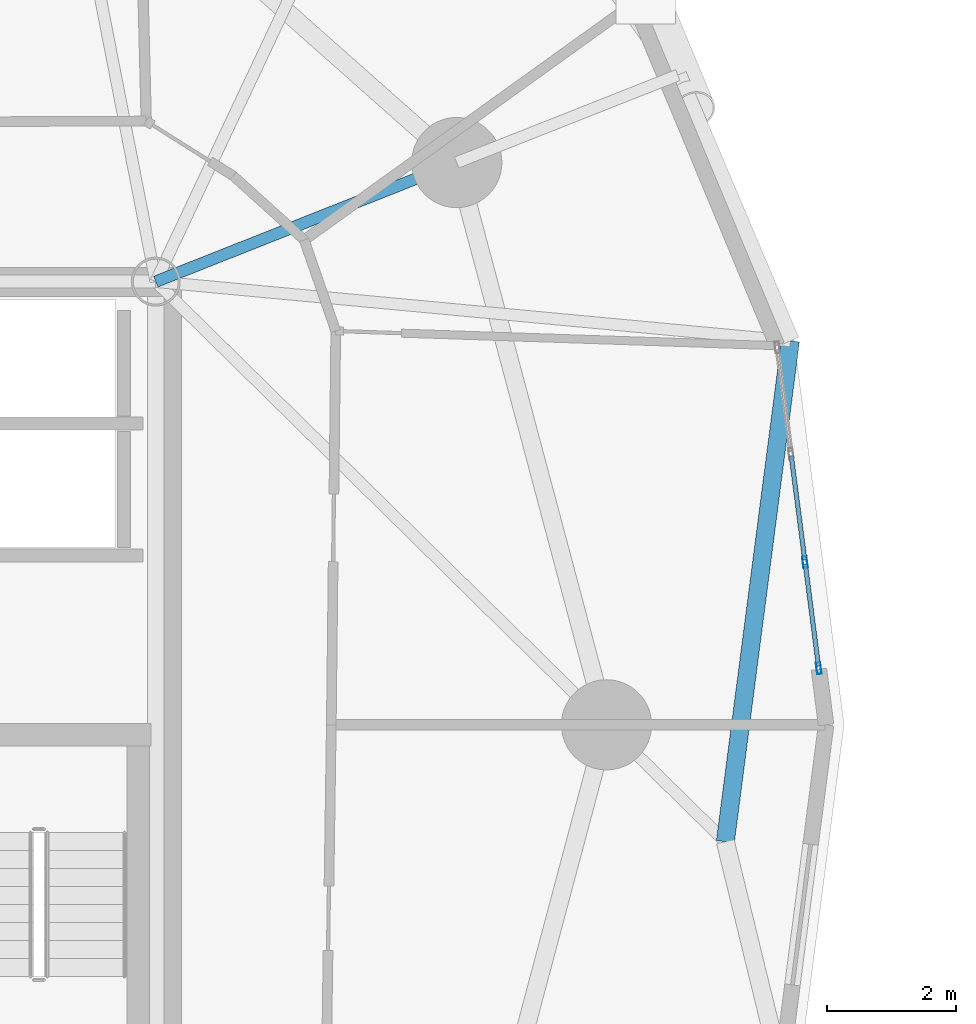
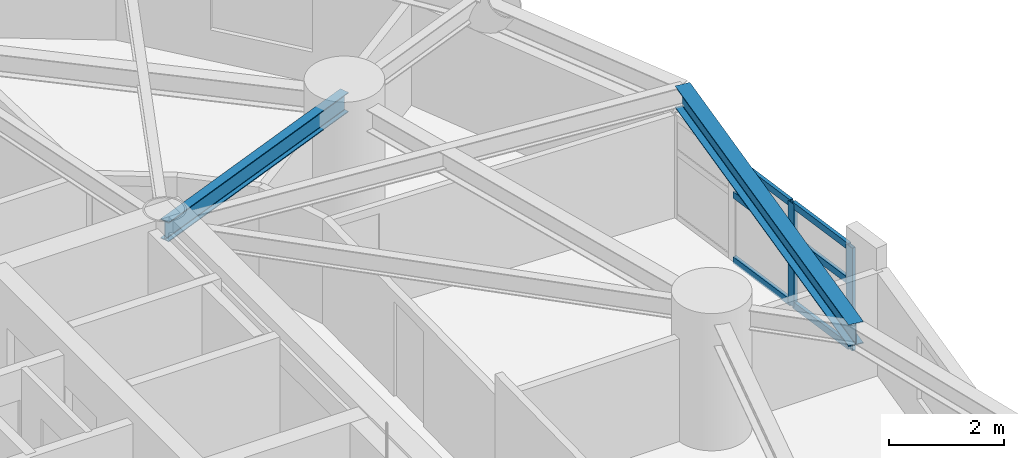
# One storey, part 2 of 19: 8 members, 2 beams, 1 element without a shape of its own.
"""IFC4 building model written with IfcOpenShell, lengths in metres."""

from ifc_helpers import new_model, si_unit, direction, frame, origin, origin_2d, place, context, subcontext, project, spatial, hollow_rectangle, i_section, extrude, material, layer, layer_set, material_profile, profile_set, type_object, element, aggregate, save


model = new_model("IFC4")

# Units and contexts
model_context = context("Model", 3, precision=1e-05, world=origin(), true_north=direction((0.0, 1.0)))
body_context = subcontext(model_context, "Body", "Model", "MODEL_VIEW")
ifc_project = project(units=[si_unit("LENGTHUNIT", "METRE"), si_unit("AREAUNIT", "SQUARE_METRE"), si_unit("VOLUMEUNIT", "CUBIC_METRE"), si_unit("PLANEANGLEUNIT", "RADIAN"), si_unit("MASSUNIT", "GRAM", prefix="KILO")], contexts=[model_context])

# Site, building, storey
site_placement = place(None, origin())
site = spatial("IfcSite", under=ifc_project, at=site_placement, CompositionType="ELEMENT")
building_placement = place(site_placement, origin())
building = spatial("IfcBuilding", under=site, at=building_placement, Name="Cununo Teusaquillo Station Towers", CompositionType="ELEMENT")
storey_placement = place(building_placement, frame((0.0, 0.0, 84.699951171875)))
storey = spatial("IfcBuildingStorey", under=building, at=storey_placement, Name="L26", CompositionType="ELEMENT", Elevation=84.699951171875)

# Beams
ifc_material_1 = material(Name="Steel ASTM A572 Grade 50", Category="steel")
ifc_material_profile_1 = material_profile(ifc_material_1, i_section(OverallWidth=0.180908203125, OverallDepth=0.4169921875, WebThickness=0.010986328125, FlangeThickness=0.018310546875, FilletRadius=0.012939453125, at=origin_2d()), Name="W16X57")
ifc_profile_set_1 = profile_set([ifc_material_profile_1], Name="Steel ASTM A572 Grade 50")
beam_type_1 = type_object("IfcBeamType", Name="BM-RAD-G2", PredefinedType="BEAM", material=ifc_profile_set_1)
beam_1_placement = place(storey_placement, frame((21.675048828125, 31.3798828125, 2.461669921875), z_axis=(0.929864104313, 0.367903176814, 0.0), x_axis=(-0.367903176814, 0.929864104313, 0.0)))
element("IfcBeam", 1, at=beam_1_placement, inside=storey, type_object=beam_type_1, Name="L26 Tower A Radial Girder 02A", PredefinedType="BEAM", context=body_context, shape_type="SweptSolid", body=[
    extrude(i_section(OverallWidth=0.180908203125, OverallDepth=0.4169921875, WebThickness=0.010986328125, FlangeThickness=0.018310546875, FilletRadius=0.012939453125, at=origin_2d()), origin(), (0.0, 0.0, 1.0), 5.02490234375),
])
ifc_material_2 = material(Name="Steel ASTM A572 Grade 50", Category="steel")
ifc_material_profile_2 = material_profile(ifc_material_2, i_section(OverallWidth=0.280029296875, OverallDepth=0.462890625, WebThickness=0.0107421875, FlangeThickness=0.017333984375, FilletRadius=0.013916015625, at=origin_2d()), Name="W18X76")
ifc_profile_set_2 = profile_set([ifc_material_profile_2], Name="Steel ASTM A572 Grade 50")
beam_type_2 = type_object("IfcBeamType", Name="BM-RING-Z2", PredefinedType="SPANDREL", material=ifc_profile_set_2)
beam_2_placement = place(storey_placement, frame((30.51708984375, 22.685791015625, 2.4384765625), z_axis=(0.12888124113, 0.991660035337, 0.0), x_axis=(-0.991660035337, 0.12888124113, 0.0)))
element("IfcBeam", 2, at=beam_2_placement, inside=storey, type_object=beam_type_2, Name="L26 Tower A Spandrel Ring Beam 01", PredefinedType="SPANDREL", context=body_context, shape_type="SweptSolid", body=[
    extrude(i_section(OverallWidth=0.280029296875, OverallDepth=0.462890625, WebThickness=0.0107421875, FlangeThickness=0.017333984375, FilletRadius=0.013916015625, at=origin_2d()), origin(), (0.0, 0.0, 1.0), 7.840576171875),
])

# Curtain wall, members
ifc_material_3 = material(Name="Ceramic-fritted dark low-E double glazing", Category="glass")
ifc_layer = layer(ifc_material_3, 0.179931640625)
ifc_layer_set = layer_set([ifc_layer], Name="Ceramic-fritted dark low-E double glazing")
curtain_wall_type = type_object("IfcCurtainWallType", Name="CW-SYS-04", PredefinedType="USERDEFINED", material=ifc_layer_set)
curtain_wall_placement = place(storey_placement, origin())
curtain_wall = element("IfcCurtainWall", 3, at=curtain_wall_placement, inside=storey, type_object=curtain_wall_type, Name="L26 Tower A Facade Curtain Wall C00", ObjectType="FRITTED GLAZING", PredefinedType="USERDEFINED")
ifc_material_4 = material(Name="Anodised dark bronze aluminium EN AW-6063-T6", Category="aluminium")
ifc_material_profile_3 = material_profile(ifc_material_4, hollow_rectangle(XDim=0.070068359375, YDim=0.179931640625, WallThickness=0.00390625, at=origin_2d()), Name="CW-MULL-70x180")
ifc_profile_set_3 = profile_set([ifc_material_profile_3], Name="Anodised dark bronze aluminium EN AW-6063-T6")
member_type_1 = type_object("IfcMemberType", Name="CWM-180", PredefinedType="MULLION", material=ifc_profile_set_3)
member_1_placement = place(storey_placement, frame((31.754150390625, 27.0263671875, 0.0), z_axis=(0.0, 0.0, 1.0), x_axis=(0.991730764367, 0.128335852387, 0.0)))
member_1 = element("IfcMember", 4, at=member_1_placement, type_object=member_type_1, Name="CW-04 mullion 3", PredefinedType="MULLION", context=body_context, shape_type="SweptSolid", body=[
    extrude(hollow_rectangle(XDim=0.070068359375, YDim=0.179931640625, WallThickness=0.00390625, at=origin_2d()), origin(), (0.0, 0.0, 1.0), 2.178955078125),
])
member_2_placement = place(storey_placement, frame((31.967529296875, 25.377685546875, 0.0), z_axis=(0.0, 0.0, 1.0), x_axis=(0.991730764367, 0.128335852387, 0.0)))
member_2 = element("IfcMember", 5, at=member_2_placement, type_object=member_type_1, Name="CW-04 mullion 4", PredefinedType="MULLION", context=body_context, shape_type="SweptSolid", body=[
    extrude(hollow_rectangle(XDim=0.070068359375, YDim=0.179931640625, WallThickness=0.00390625, at=origin_2d()), origin(), (0.0, 0.0, 1.0), 2.178955078125),
])
ifc_material_5 = material(Name="Anodised dark bronze aluminium EN AW-6063-T6", Category="aluminium")
ifc_material_profile_4 = material_profile(ifc_material_5, hollow_rectangle(XDim=0.070068359375, YDim=0.139892578125, WallThickness=0.00390625, at=origin_2d()), Name="CW-TRAN-70x140")
ifc_profile_set_4 = profile_set([ifc_material_profile_4], Name="Anodised dark bronze aluminium EN AW-6063-T6")
member_type_2 = type_object("IfcMemberType", Name="CWT-140", PredefinedType="USERDEFINED", material=ifc_profile_set_4)
member_3_placement = place(storey_placement, frame((31.540771484375, 28.675048828125, 0.03515625), z_axis=(0.128261686134, -0.991740359101, 0.0), x_axis=(0.991740359101, 0.128261686134, 0.0)))
member_3 = element("IfcMember", 6, at=member_3_placement, type_object=member_type_2, Name="CW-04 transom 2.1", ObjectType="TRANSOM", PredefinedType="USERDEFINED", context=body_context, shape_type="SweptSolid", body=[
    extrude(hollow_rectangle(XDim=0.070068359375, YDim=0.139892578125, WallThickness=0.00390625, at=origin_2d()), origin(), (0.0, 0.0, 1.0), 1.62744140625),
])
member_4_placement = place(storey_placement, frame((31.540771484375, 28.675048828125, 1.416015625), z_axis=(0.128261686134, -0.991740359101, 0.0), x_axis=(0.991740359101, 0.128261686134, 0.0)))
member_4 = element("IfcMember", 7, at=member_4_placement, type_object=member_type_2, Name="CW-04 transom 2.2", ObjectType="TRANSOM", PredefinedType="USERDEFINED", context=body_context, shape_type="SweptSolid", body=[
    extrude(hollow_rectangle(XDim=0.070068359375, YDim=0.139892578125, WallThickness=0.00390625, at=origin_2d()), origin(), (0.0, 0.0, 1.0), 1.62744140625),
])
member_5_placement = place(storey_placement, frame((31.540771484375, 28.675048828125, 2.14404296875), z_axis=(0.128261686134, -0.991740359101, 0.0), x_axis=(0.991740359101, 0.128261686134, 0.0)))
member_5 = element("IfcMember", 8, at=member_5_placement, type_object=member_type_2, Name="CW-04 transom 2.3", ObjectType="TRANSOM", PredefinedType="USERDEFINED", context=body_context, shape_type="SweptSolid", body=[
    extrude(hollow_rectangle(XDim=0.070068359375, YDim=0.139892578125, WallThickness=0.00390625, at=origin_2d()), origin(), (0.0, 0.0, 1.0), 1.62744140625),
])
member_6_placement = place(storey_placement, frame((31.758544921875, 26.99169921875, 0.03515625), z_axis=(0.128316698748, -0.991733242774, 0.0), x_axis=(0.991733242774, 0.128316698748, 0.0)))
member_6 = element("IfcMember", 9, at=member_6_placement, type_object=member_type_2, Name="CW-04 transom 3.1", ObjectType="TRANSOM", PredefinedType="USERDEFINED", context=body_context, shape_type="SweptSolid", body=[
    extrude(hollow_rectangle(XDim=0.070068359375, YDim=0.139892578125, WallThickness=0.00390625, at=origin_2d()), origin(), (0.0, 0.0, 1.0), 1.592529296875),
])
member_7_placement = place(storey_placement, frame((31.758544921875, 26.99169921875, 1.416015625), z_axis=(0.128316698748, -0.991733242774, 0.0), x_axis=(0.991733242774, 0.128316698748, 0.0)))
member_7 = element("IfcMember", 10, at=member_7_placement, type_object=member_type_2, Name="CW-04 transom 3.2", ObjectType="TRANSOM", PredefinedType="USERDEFINED", context=body_context, shape_type="SweptSolid", body=[
    extrude(hollow_rectangle(XDim=0.070068359375, YDim=0.139892578125, WallThickness=0.00390625, at=origin_2d()), origin(), (0.0, 0.0, 1.0), 1.592529296875),
])
member_8_placement = place(storey_placement, frame((31.758544921875, 26.99169921875, 2.14404296875), z_axis=(0.128316698748, -0.991733242774, 0.0), x_axis=(0.991733242774, 0.128316698748, 0.0)))
member_8 = element("IfcMember", 11, at=member_8_placement, type_object=member_type_2, Name="CW-04 transom 3.3", ObjectType="TRANSOM", PredefinedType="USERDEFINED", context=body_context, shape_type="SweptSolid", body=[
    extrude(hollow_rectangle(XDim=0.070068359375, YDim=0.139892578125, WallThickness=0.00390625, at=origin_2d()), origin(), (0.0, 0.0, 1.0), 1.592529296875),
])
aggregate(curtain_wall, [member_1, member_2, member_3, member_4, member_5, member_6, member_7, member_8])

save(model, "model.ifc")
